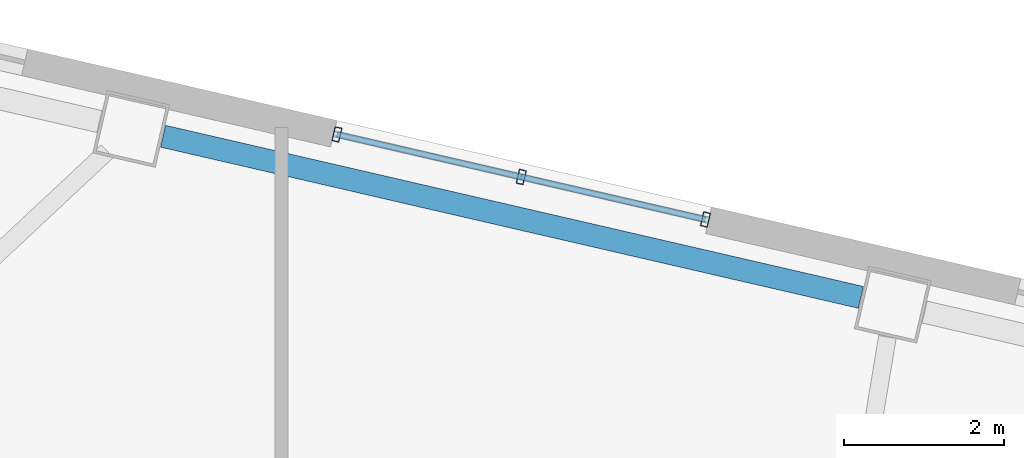
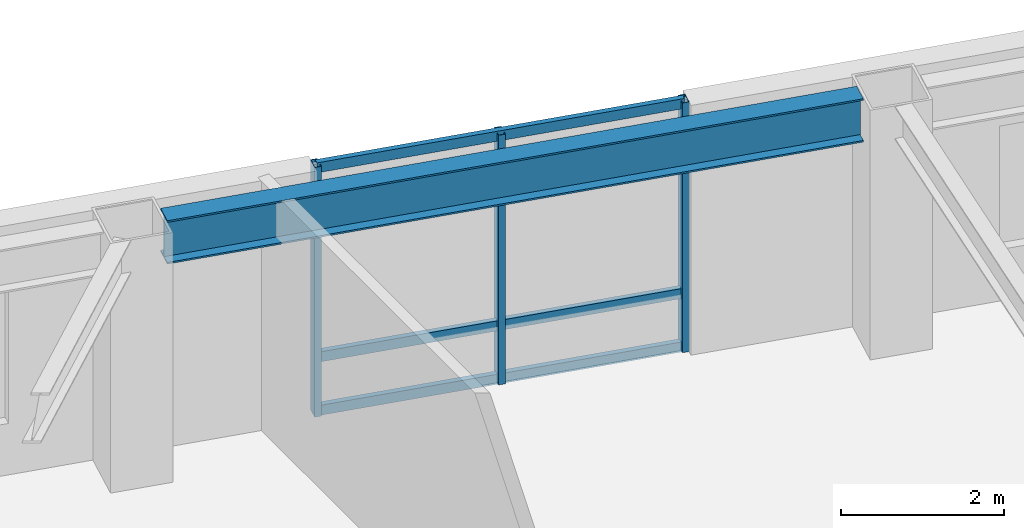
# One storey, part 8 of 21: 6 members, 1 beam, 1 element without a shape of its own.
"""IFC4 building model written with IfcOpenShell, lengths in metres."""

from ifc_helpers import new_model, si_unit, direction, frame, origin, origin_2d, place, context, subcontext, project, spatial, hollow_rectangle, i_section, extrude, material, layer, layer_set, material_profile, profile_set, type_object, element, aggregate, save


model = new_model("IFC4")

# Units and contexts
model_context = context("Model", 3, precision=1e-05, world=origin(), true_north=direction((0.0, 1.0)))
body_context = subcontext(model_context, "Body", "Model", "MODEL_VIEW")
ifc_project = project(units=[si_unit("LENGTHUNIT", "METRE"), si_unit("AREAUNIT", "SQUARE_METRE"), si_unit("VOLUMEUNIT", "CUBIC_METRE"), si_unit("PLANEANGLEUNIT", "RADIAN"), si_unit("MASSUNIT", "GRAM", prefix="KILO")], contexts=[model_context])

# Site, building, storey
site_placement = place(None, origin())
site = spatial("IfcSite", under=ifc_project, at=site_placement, CompositionType="ELEMENT")
building_placement = place(site_placement, origin())
building = spatial("IfcBuilding", under=site, at=building_placement, Name="Tavrogorsk Clinical Tower", CompositionType="ELEMENT")
storey_placement = place(building_placement, frame((0.0, 0.0, 71.39990234375)))
storey = spatial("IfcBuildingStorey", under=building, at=storey_placement, Name="L15", CompositionType="ELEMENT", Elevation=71.39990234375)

# Curtain wall, members
ifc_material_1 = material(Name="Anodised aluminium and triple IGU glazing", Category="aluminium")
ifc_layer = layer(ifc_material_1, 0.179931640625)
ifc_layer_set = layer_set([ifc_layer], Name="Anodised aluminium and triple IGU glazing")
curtain_wall_type = type_object("IfcCurtainWallType", Name="CW2_NorthSlot", PredefinedType="NOTDEFINED", material=ifc_layer_set)
curtain_wall_placement = place(storey_placement, origin())
curtain_wall = element("IfcCurtainWall", 1, at=curtain_wall_placement, inside=storey, type_object=curtain_wall_type, Name="L15 Curtain Wall CW-L15-N-SLOT-1", PredefinedType="NOTDEFINED")
ifc_material_2 = material(Name="Anodised aluminium alloy AW-6060", Category="aluminium")
ifc_material_profile_1 = material_profile(ifc_material_2, hollow_rectangle(XDim=0.090087890625, YDim=0.179931640625, WallThickness=0.00634765625, at=origin_2d()), Name="RHS-180x90x6.3")
ifc_profile_set_1 = profile_set([ifc_material_profile_1], Name="Anodised aluminium alloy AW-6060")
member_type_1 = type_object("IfcMemberType", Name="CwMullion_180x90", PredefinedType="MULLION", material=ifc_profile_set_1)
member_1_placement = place(storey_placement, frame((-3.879638671875, 24.640625, 0.0), z_axis=(0.0, 0.0, 1.0), x_axis=(-0.974370102963, 0.224950888978, 0.0)))
member_1 = element("IfcMember", 2, at=member_1_placement, type_object=member_type_1, Name="CW-L15-N-SLOT-1 Mullion 1", PredefinedType="MULLION", context=body_context, shape_type="SweptSolid", body=[
    extrude(hollow_rectangle(XDim=0.090087890625, YDim=0.179931640625, WallThickness=0.00634765625, at=origin_2d()), origin(), (0.0, 0.0, 1.0), 3.739990234375),
])
member_2_placement = place(storey_placement, frame((-6.17822265625, 25.171142578125, 0.0), z_axis=(0.0, 0.0, 1.0), x_axis=(-0.974370102963, 0.224950888978, 0.0)))
member_2 = element("IfcMember", 3, at=member_2_placement, type_object=member_type_1, Name="CW-L15-N-SLOT-1 Mullion 2", PredefinedType="MULLION", context=body_context, shape_type="SweptSolid", body=[
    extrude(hollow_rectangle(XDim=0.090087890625, YDim=0.179931640625, WallThickness=0.00634765625, at=origin_2d()), origin(), (0.0, 0.0, 1.0), 3.739990234375),
])
member_3_placement = place(storey_placement, frame((-8.476806640625, 25.701904296875, 0.0), z_axis=(0.0, 0.0, 1.0), x_axis=(-0.974370102963, 0.224950888978, 0.0)))
member_3 = element("IfcMember", 4, at=member_3_placement, type_object=member_type_1, Name="CW-L15-N-SLOT-1 Mullion 3", PredefinedType="MULLION", context=body_context, shape_type="SweptSolid", body=[
    extrude(hollow_rectangle(XDim=0.090087890625, YDim=0.179931640625, WallThickness=0.00634765625, at=origin_2d()), origin(), (0.0, 0.0, 1.0), 3.739990234375),
])
ifc_material_3 = material(Name="Anodised aluminium alloy AW-6060", Category="aluminium")
ifc_material_profile_2 = material_profile(ifc_material_3, hollow_rectangle(XDim=0.074951171875, YDim=0.14990234375, WallThickness=0.0048828125, at=origin_2d()), Name="RHS-150x75x5")
ifc_profile_set_2 = profile_set([ifc_material_profile_2], Name="Anodised aluminium alloy AW-6060")
member_type_2 = type_object("IfcMemberType", Name="CwTransom_150x75", PredefinedType="USERDEFINED", material=ifc_profile_set_2)
member_4_placement = place(storey_placement, frame((-3.879638671875, 24.640625, 0.050048828125), z_axis=(-0.974372877948, 0.22493886885, 0.0), x_axis=(-0.22493886885, -0.974372877948, 0.0)))
member_4 = element("IfcMember", 5, at=member_4_placement, type_object=member_type_2, Name="CW-L15-N-SLOT-1 Transom 1", ObjectType="TRANSOM", PredefinedType="USERDEFINED", context=body_context, shape_type="SweptSolid", body=[
    extrude(hollow_rectangle(XDim=0.074951171875, YDim=0.14990234375, WallThickness=0.0048828125, at=origin_2d()), origin(), (0.0, 0.0, 1.0), 4.718017578125),
])
member_5_placement = place(storey_placement, frame((-3.879638671875, 24.640625, 0.85009765625), z_axis=(-0.974372877948, 0.22493886885, 0.0), x_axis=(-0.22493886885, -0.974372877948, 0.0)))
member_5 = element("IfcMember", 6, at=member_5_placement, type_object=member_type_2, Name="CW-L15-N-SLOT-1 Transom 2", ObjectType="TRANSOM", PredefinedType="USERDEFINED", context=body_context, shape_type="SweptSolid", body=[
    extrude(hollow_rectangle(XDim=0.074951171875, YDim=0.14990234375, WallThickness=0.0048828125, at=origin_2d()), origin(), (0.0, 0.0, 1.0), 4.718017578125),
])
member_6_placement = place(storey_placement, frame((-3.879638671875, 24.640625, 3.690185546875), z_axis=(-0.974372877948, 0.22493886885, 0.0), x_axis=(-0.22493886885, -0.974372877948, 0.0)))
member_6 = element("IfcMember", 7, at=member_6_placement, type_object=member_type_2, Name="CW-L15-N-SLOT-1 Transom 3", ObjectType="TRANSOM", PredefinedType="USERDEFINED", context=body_context, shape_type="SweptSolid", body=[
    extrude(hollow_rectangle(XDim=0.074951171875, YDim=0.14990234375, WallThickness=0.0048828125, at=origin_2d()), origin(), (0.0, 0.0, 1.0), 4.718017578125),
])
aggregate(curtain_wall, [member_1, member_2, member_3, member_4, member_5, member_6])

# Beam
ifc_material_4 = material(Name="Structural steel S390", Category="steel")
ifc_material_profile_3 = material_profile(ifc_material_4, i_section(OverallWidth=0.280029296875, OverallDepth=0.64990234375, WebThickness=0.01611328125, FlangeThickness=0.02490234375, at=origin_2d()), Name="B-650x280x16x25")
ifc_profile_set_3 = profile_set([ifc_material_profile_3], Name="Structural steel S390")
beam_type = type_object("IfcBeamType", Name="SpandrelBeam_B650", PredefinedType="SPANDREL", material=ifc_profile_set_3)
beam_placement = place(storey_placement, frame((-1.941162109375, 23.669677734375, 3.4150390625), z_axis=(-0.974372766602, 0.224939351168, 0.0), x_axis=(-0.224939351168, -0.974372766602, 0.0)))
element("IfcBeam", 8, at=beam_placement, inside=storey, type_object=beam_type, Name="L15 Perimeter Spandrel N5-N6", PredefinedType="SPANDREL", context=body_context, shape_type="SweptSolid", body=[
    extrude(i_section(OverallWidth=0.280029296875, OverallDepth=0.64990234375, WebThickness=0.01611328125, FlangeThickness=0.02490234375, at=origin_2d()), origin(), (0.0, 0.0, 1.0), 8.9326171875),
])

save(model, "model.ifc")
